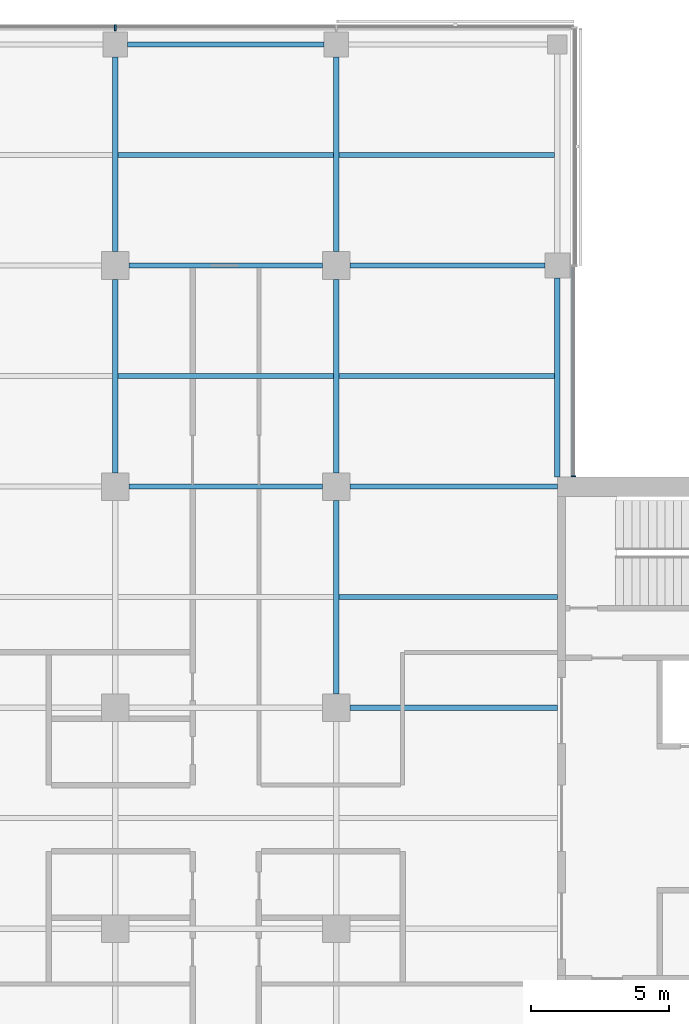
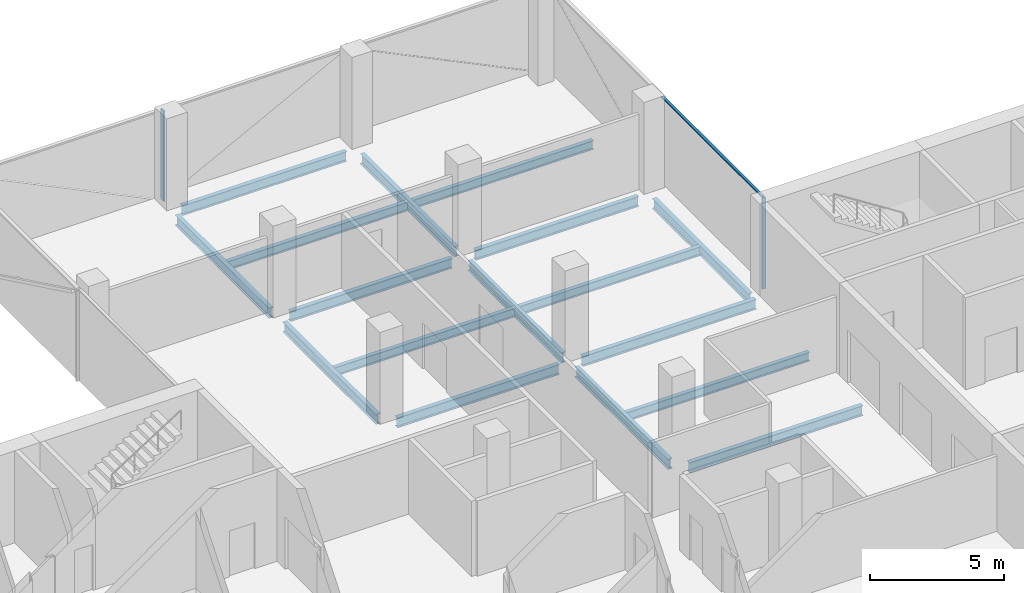
# One storey, part 9 of 22: 17 beams, 3 members, 2 elements without a shape of their own.
"""IFC4 building model written with IfcOpenShell, lengths in metres."""

import ifcopenshell
import ifcopenshell.guid

model = None  # the IFC model being written
_history = None  # IfcOwnerHistory: only IFC2X3 demands one
_inside = {}  # id of a spatial element -> (the spatial element, [elements in it])
_under = {}  # id of a project, library or spatial element -> (it, [spatial elements below it])
_declared = {}  # id of a project -> (the project, [libraries it declares])
_typed = {}  # id of a type object -> (the type object, [elements of that type])
_made_of = {}  # id of a material, layer set ... -> (it, [elements and type objects made of it])


def new_model(schema):
    """Start an empty IFC model of exactly this schema.

    Asked for "IFC4X3", IfcOpenShell would pick the latest addendum, in which some entities
    have other attributes; the version numbers below select the first issue.
    IFC2X3 requires an IfcOwnerHistory on every rooted entity: one is made here for all.
    """
    global model, _history
    if schema == "IFC4X3":
        model = ifcopenshell.file(schema_version=(4, 3, 0, 0))
    else:
        model = ifcopenshell.file(schema=schema)
    _inside.clear()
    _under.clear()
    _declared.clear()
    _typed.clear()
    _made_of.clear()
    _history = None
    if model.schema == "IFC2X3":
        org = make("IfcOrganization", Name="unknown")
        user = make(
            "IfcPersonAndOrganization",
            ThePerson=make("IfcPerson", FamilyName="unknown"),
            TheOrganization=org,
        )
        app = make(
            "IfcApplication",
            ApplicationDeveloper=org,
            Version="unknown",
            ApplicationFullName="unknown",
            ApplicationIdentifier="unknown",
        )
        _history = make(
            "IfcOwnerHistory",
            OwningUser=user,
            OwningApplication=app,
            ChangeAction="ADDED",
            CreationDate=0,
        )
    return model


def make(cls, **values):
    """One entity of the class cls with the attributes given. An attribute that is None is left unset."""
    return model.create_entity(
        cls, **{name: value for name, value in values.items() if value is not None}
    )


def rooted(cls, **values):
    """An entity with a GlobalId (a new one), such as an element, a storey or a relation."""
    return make(cls, GlobalId=ifcopenshell.guid.new(), OwnerHistory=_history, **values)


def si_unit(unit_type, name, prefix=None):
    """IfcSIUnit, for example si_unit("LENGTHUNIT", "METRE", prefix="MILLI")."""
    return make("IfcSIUnit", UnitType=unit_type, Prefix=prefix, Name=name)


def assignment(units):
    """IfcUnitAssignment: the units of a project."""
    return None if units is None else make("IfcUnitAssignment", Units=units)


def point(xyz):
    """IfcCartesianPoint."""
    return None if xyz is None else make("IfcCartesianPoint", Coordinates=xyz)


def direction(xyz):
    """IfcDirection."""
    return None if xyz is None else make("IfcDirection", DirectionRatios=xyz)


def frame(location, z_axis=None, x_axis=None):
    """IfcAxis2Placement3D, a coordinate frame: its origin and axes. An axis left out is left unset."""
    return make(
        "IfcAxis2Placement3D",
        Location=point(location),
        Axis=direction(z_axis),
        RefDirection=direction(x_axis),
    )


def frame_2d(location, x_axis=None):
    """IfcAxis2Placement2D, a coordinate frame in the plane: its origin and x axis."""
    return make(
        "IfcAxis2Placement2D", Location=point(location), RefDirection=direction(x_axis)
    )


def origin():
    """The frame at (0, 0, 0) with its axes left unset."""
    return frame((0.0, 0.0, 0.0))


def origin_2d():
    """The frame at (0, 0) in the plane with its x axis left unset."""
    return frame_2d((0.0, 0.0))


def place(relative_to, where):
    """IfcLocalPlacement: puts the frame where relative to a parent placement (None: the world)."""
    return make(
        "IfcLocalPlacement", PlacementRelTo=relative_to, RelativePlacement=where
    )


def context(
    kind, dimensions, precision=None, world=None, true_north=None, identifier=None
):
    """IfcGeometricRepresentationContext, for example the 3D "Model" context."""
    return make(
        "IfcGeometricRepresentationContext",
        ContextIdentifier=identifier,
        ContextType=kind,
        CoordinateSpaceDimension=dimensions,
        Precision=precision,
        WorldCoordinateSystem=world,
        TrueNorth=true_north,
    )


def subcontext(parent, identifier, kind, view, scale=None):
    """IfcGeometricRepresentationSubContext, for example "Body" below "Model"."""
    return make(
        "IfcGeometricRepresentationSubContext",
        ContextIdentifier=identifier,
        ContextType=kind,
        ParentContext=parent,
        TargetScale=scale,
        TargetView=view,
    )


def project(units=None, contexts=None):
    """IfcProject with its units and contexts."""
    return rooted(
        "IfcProject",
        Name="project",
        RepresentationContexts=contexts,
        UnitsInContext=assignment(units),
    )


def spatial(cls, under=None, at=None, **own):
    """A site, building, storey or space (cls), placed at a placement, below another one or the project."""
    s = rooted(cls, ObjectPlacement=at, **own)
    if under is not None:
        _under.setdefault(under.id(), (under, []))[1].append(s)
    return s


def profile(cls, at=None, kind="AREA", **sizes):
    """A parametric profile (cls). Its sizes go by their IFC names, for example OverallWidth=200.0."""
    return make(cls, ProfileType=kind, Position=at, **sizes)


def rectangle(**sizes):
    """IfcRectangleProfileDef."""
    return profile("IfcRectangleProfileDef", **sizes)


def i_section(**sizes):
    """IfcIShapeProfileDef."""
    return profile("IfcIShapeProfileDef", **sizes)


def extrude(swept, where, along, depth):
    """IfcExtrudedAreaSolid: the profile swept, set in the frame where, extruded along a direction by depth."""
    return make(
        "IfcExtrudedAreaSolid",
        SweptArea=swept,
        Position=where,
        ExtrudedDirection=direction(along),
        Depth=depth,
    )


def shape(context_of_items, identifier, shape_type, items):
    """IfcShapeRepresentation: the items that make up one representation, for example the "Body"."""
    return make(
        "IfcShapeRepresentation",
        ContextOfItems=context_of_items,
        RepresentationIdentifier=identifier,
        RepresentationType=shape_type,
        Items=items,
    )


def material(Name=None, Category=None):
    """IfcMaterial."""
    return make("IfcMaterial", Name=Name, Category=Category)


def material_profile(
    of_material, cross_section, Name=None, Category=None, Priority=None
):
    """IfcMaterialProfile: a cross section and its material."""
    return make(
        "IfcMaterialProfile",
        Name=Name,
        Material=of_material,
        Profile=cross_section,
        Priority=Priority,
        Category=Category,
    )


def profile_set(profiles, Name=None, composite=None):
    """IfcMaterialProfileSet."""
    return make(
        "IfcMaterialProfileSet",
        Name=Name,
        MaterialProfiles=profiles,
        CompositeProfile=composite,
    )


def made_of(thing, what):
    """Note that an element or type object is made of a material, layer set ...; save() writes the relation."""
    if what is not None:
        _made_of.setdefault(what.id(), (what, []))[1].append(thing)
    return thing


def type_object(cls, material=None, **own):
    """A type object (cls), such as IfcWallType, which elements share."""
    return made_of(rooted(cls, **own), material)


def element(
    cls,
    number,
    at=None,
    inside=None,
    cuts=None,
    type_object=None,
    material=None,
    context=None,
    identifier="Body",
    shape_type=None,
    held_by="IfcProductDefinitionShape",
    body=None,
    shapes=None,
    **own,
):
    """One element of the class cls, such as IfcWall. Its Tag is "e" and its number.

    at: its placement. inside: the storey or other place that contains it. cuts: it is an
    opening in that element (IfcRelVoidsElement). A single representation is given by context,
    identifier, shape_type and body (its items); several are given by shapes. held_by: the class
    of the entity that holds the representations. save() writes the other relations.
    """
    e = rooted(cls, Tag="e%d" % number, ObjectPlacement=at, **own)
    if body is not None:
        shapes = [shape(context, identifier, shape_type, body)]
    if shapes is not None:
        e.Representation = make(held_by, Representations=shapes)
    if inside is not None:
        _inside.setdefault(inside.id(), (inside, []))[1].append(e)
    if cuts is not None:
        rooted(
            "IfcRelVoidsElement", RelatingBuildingElement=cuts, RelatedOpeningElement=e
        )
    if type_object is not None:
        _typed.setdefault(type_object.id(), (type_object, []))[1].append(e)
    return made_of(e, material)


def aggregate(whole, parts):
    """IfcRelAggregates: a whole, such as a stair, and the parts it consists of."""
    return rooted("IfcRelAggregates", RelatingObject=whole, RelatedObjects=parts)


def save(model, path):
    """Write the relations noted so far, then the file.

    IfcRelAggregates (storeys below a building ...), IfcRelContainedInSpatialStructure (elements
    in a storey), IfcRelDefinesByType, IfcRelAssociatesMaterial and IfcRelDeclares: one each for
    every whole, place, type object, material and project.
    """
    for whole, parts in _under.values():
        aggregate(whole, parts)
    for where, things in _inside.values():
        rooted(
            "IfcRelContainedInSpatialStructure",
            RelatedElements=things,
            RelatingStructure=where,
        )
    for kind, things in _typed.values():
        rooted("IfcRelDefinesByType", RelatedObjects=things, RelatingType=kind)
    for what, things in _made_of.values():
        rooted("IfcRelAssociatesMaterial", RelatedObjects=things, RelatingMaterial=what)
    for by, libraries in _declared.values():
        rooted("IfcRelDeclares", RelatingContext=by, RelatedDefinitions=libraries)
    model.write(path)


model = new_model("IFC4")

# Units and contexts
model_context = context("Model", 3, precision=1e-05, world=origin(), true_north=direction((0.0, 1.0)))
body_context = subcontext(model_context, "Body", "Model", "MODEL_VIEW")
ifc_project = project(units=[si_unit("LENGTHUNIT", "METRE"), si_unit("AREAUNIT", "SQUARE_METRE"), si_unit("VOLUMEUNIT", "CUBIC_METRE"), si_unit("PLANEANGLEUNIT", "RADIAN"), si_unit("MASSUNIT", "GRAM", prefix="KILO")], contexts=[model_context])

# Site, building, storey
site_placement = place(None, origin())
site = spatial("IfcSite", under=ifc_project, at=site_placement, CompositionType="ELEMENT")
building_placement = place(site_placement, origin())
building = spatial("IfcBuilding", under=site, at=building_placement, Name="Crosswind Convention Tower", CompositionType="ELEMENT")
storey_placement = place(building_placement, frame((0.0, 0.0, 125.300048828125)))
storey = spatial("IfcBuildingStorey", under=building, at=storey_placement, Name="L25", CompositionType="ELEMENT", Elevation=125.300048828125)

# Beams
ifc_material_1 = material(Name="Steel S355", Category="steel")
ifc_material_profile_1 = material_profile(ifc_material_1, i_section(OverallWidth=0.18994140625, OverallDepth=0.45361328125, WebThickness=0.008544921875, FlangeThickness=0.0126953125, FilletRadius=0.01025390625, at=origin_2d()), Name="UB 457x191x67")
ifc_profile_set_1 = profile_set([ifc_material_profile_1], Name="Steel S355")
beam_type_1 = type_object("IfcBeamType", Name="Edge beam UB 457x191x67", PredefinedType="SPANDREL", material=ifc_profile_set_1)
beam_1_placement = place(storey_placement, frame((121.449951171875, 128.0, -0.52685546875), z_axis=(1.0, 0.0, 0.0), x_axis=(0.0, 1.0, 0.0)))
element("IfcBeam", 1, at=beam_1_placement, inside=storey, type_object=beam_type_1, Name="B16 L25 edge beam 13", PredefinedType="SPANDREL", context=body_context, shape_type="SweptSolid", body=[
    extrude(i_section(OverallWidth=0.18994140625, OverallDepth=0.45361328125, WebThickness=0.008544921875, FlangeThickness=0.0126953125, FilletRadius=0.01025390625, at=origin_2d()), origin(), (0.0, 0.0, 1.0), 7.10009765625),
])
beam_2_placement = place(storey_placement, frame((137.0, 112.35009765625, -0.52685546875), z_axis=(0.0, 1.0, 0.0), x_axis=(-1.0, 0.0, 0.0)))
element("IfcBeam", 2, at=beam_2_placement, inside=storey, type_object=beam_type_1, Name="B16 L25 edge beam 18", PredefinedType="SPANDREL", context=body_context, shape_type="SweptSolid", body=[
    extrude(i_section(OverallWidth=0.18994140625, OverallDepth=0.45361328125, WebThickness=0.008544921875, FlangeThickness=0.0126953125, FilletRadius=0.01025390625, at=origin_2d()), origin(), (0.0, 0.0, 1.0), 7.199951171875),
])
ifc_material_profile_2 = material_profile(ifc_material_1, i_section(OverallWidth=0.19140625, OverallDepth=0.460205078125, WebThickness=0.010009765625, FlangeThickness=0.01611328125, FilletRadius=0.01025390625, at=origin_2d()), Name="UB 457x191x82")
ifc_profile_set_2 = profile_set([ifc_material_profile_2], Name="Steel S355")
beam_type_2 = type_object("IfcBeamType", Name="Girder UB 457x191x82", PredefinedType="BEAM", material=ifc_profile_set_2)
beam_3_placement = place(storey_placement, frame((121.0, 112.5, -0.530029296875), z_axis=(0.0, 1.0, 0.0), x_axis=(-1.0, 0.0, 0.0)))
element("IfcBeam", 3, at=beam_3_placement, inside=storey, type_object=beam_type_2, Name="B3 L25 girder 8", PredefinedType="BEAM", context=body_context, shape_type="SweptSolid", body=[
    extrude(i_section(OverallWidth=0.19140625, OverallDepth=0.460205078125, WebThickness=0.010009765625, FlangeThickness=0.01611328125, FilletRadius=0.01025390625, at=origin_2d()), origin(), (0.0, 0.0, 1.0), 7.0),
])
beam_4_placement = place(storey_placement, frame((121.0, 120.5, -0.530029296875), z_axis=(0.0, 1.0, 0.0), x_axis=(-1.0, 0.0, 0.0)))
element("IfcBeam", 4, at=beam_4_placement, inside=storey, type_object=beam_type_2, Name="B3 L25 girder 9", PredefinedType="BEAM", context=body_context, shape_type="SweptSolid", body=[
    extrude(i_section(OverallWidth=0.19140625, OverallDepth=0.460205078125, WebThickness=0.010009765625, FlangeThickness=0.01611328125, FilletRadius=0.01025390625, at=origin_2d()), origin(), (0.0, 0.0, 1.0), 7.050048828125),
])
for number, where, z_axis, x_axis, name in (
    (5, (121.5, 112.0, -0.530029296875), (1.0, 0.0, 0.0), (0.0, 1.0, 0.0), "B3 L25 girder 14"),
    (6, (121.5, 120.0, -0.530029296875), (1.0, 0.0, 0.0), (0.0, 1.0, 0.0), "B3 L25 girder 15"),
    (7, (129.0, 104.5, -0.530029296875), (0.0, 1.0, 0.0), (-1.0, 0.0, 0.0), "B3 L25 girder 20"),
    (8, (129.0, 112.5, -0.530029296875), (0.0, 1.0, 0.0), (-1.0, 0.0, 0.0), "B3 L25 girder 21"),
):
    element("IfcBeam", number, at=place(storey_placement, frame(where, z_axis=z_axis, x_axis=x_axis)), inside=storey, type_object=beam_type_2, Name=name, PredefinedType="BEAM", context=body_context, shape_type="SweptSolid", body=[
        extrude(i_section(OverallWidth=0.19140625, OverallDepth=0.460205078125, WebThickness=0.010009765625, FlangeThickness=0.01611328125, FilletRadius=0.01025390625, at=origin_2d()), origin(), (0.0, 0.0, 1.0), 7.0),
    ])
for number, where, z_axis, x_axis, name in (
    (9, (129.0, 120.5, -0.530029296875), (0.0, 1.0, 0.0), (-1.0, 0.0, 0.0), "B3 L25 girder 22"),
    (10, (129.5, 120.0, -0.530029296875), (1.0, 0.0, 0.0), (0.0, 1.0, 0.0), "B3 L25 girder 24"),
):
    element("IfcBeam", number, at=place(storey_placement, frame(where, z_axis=z_axis, x_axis=x_axis)), inside=storey, type_object=beam_type_2, Name=name, PredefinedType="BEAM", context=body_context, shape_type="SweptSolid", body=[
        extrude(i_section(OverallWidth=0.19140625, OverallDepth=0.460205078125, WebThickness=0.010009765625, FlangeThickness=0.01611328125, FilletRadius=0.01025390625, at=origin_2d()), origin(), (0.0, 0.0, 1.0), 7.050048828125),
    ])
ifc_material_profile_3 = material_profile(ifc_material_1, i_section(OverallWidth=0.19189453125, OverallDepth=0.463623046875, WebThickness=0.010498046875, FlangeThickness=0.017578125, FilletRadius=0.01025390625, at=origin_2d()), Name="UB 457x191x90")
ifc_profile_set_3 = profile_set([ifc_material_profile_3], Name="Steel S355")
beam_type_3 = type_object("IfcBeamType", Name="Girder at core wall UB 457x191x90", PredefinedType="BEAM", material=ifc_profile_set_3)
for number, where, z_axis, x_axis, name in (
    (11, (129.5, 104.0, -0.53173828125), (1.0, 0.0, 0.0), (0.0, 1.0, 0.0), "B24 L25 girder at core wall 9"),
    (12, (129.5, 112.0, -0.53173828125), (1.0, 0.0, 0.0), (0.0, 1.0, 0.0), "B24 L25 girder at core wall 10"),
):
    element("IfcBeam", number, at=place(storey_placement, frame(where, z_axis=z_axis, x_axis=x_axis)), inside=storey, type_object=beam_type_3, Name=name, PredefinedType="BEAM", context=body_context, shape_type="SweptSolid", body=[
        extrude(i_section(OverallWidth=0.19189453125, OverallDepth=0.463623046875, WebThickness=0.010498046875, FlangeThickness=0.017578125, FilletRadius=0.01025390625, at=origin_2d()), origin(), (0.0, 0.0, 1.0), 7.5),
    ])

# Curtain wall, member
ifc_material_2 = material(Name="Aluminium unitised curtain wall", Category="aluminium")
curtain_wall_type_1 = type_object("IfcCurtainWallType", Name="CORE END SLOT WALL 160", PredefinedType="USERDEFINED", material=ifc_material_2)
curtain_wall_1_placement = place(storey_placement, origin())
curtain_wall_1 = element("IfcCurtainWall", 13, at=curtain_wall_1_placement, inside=storey, type_object=curtain_wall_type_1, Name="CW6 L25 N-E.1-1 slot", ObjectType="UNITISED", PredefinedType="USERDEFINED")
ifc_material_3 = material(Name="Aluminium mullion", Category="aluminium")
ifc_material_profile_4 = material_profile(ifc_material_3, rectangle(XDim=0.159912109375, YDim=0.050048828125, at=origin_2d()), Name="AL 160X50")
ifc_profile_set_4 = profile_set([ifc_material_profile_4], Name="Aluminium mullion")
member_type_1 = type_object("IfcMemberType", Name="MULLION 50X160", PredefinedType="MULLION", material=ifc_profile_set_4)
member_1_placement = place(storey_placement, frame((137.580078125, 112.375, -0.300048828125), z_axis=(0.0, 0.0, 1.0), x_axis=(1.0, 0.0, 0.0)))
member_1 = element("IfcMember", 14, at=member_1_placement, type_object=member_type_1, Name="CW6 mullion 1", PredefinedType="MULLION", context=body_context, shape_type="SweptSolid", body=[
    extrude(rectangle(XDim=0.159912109375, YDim=0.050048828125, at=origin_2d()), origin(), (0.0, 0.0, 1.0), 4.14990234375),
])

curtain_wall_type_2 = type_object("IfcCurtainWallType", Name="OFFICE UNITISED WALL 220", PredefinedType="USERDEFINED", material=ifc_material_2)
curtain_wall_2_placement = place(storey_placement, origin())
curtain_wall_2 = element("IfcCurtainWall", 15, at=curtain_wall_2_placement, inside=storey, type_object=curtain_wall_type_2, Name="CW3 L25 N-TIP 1", ObjectType="UNITISED", PredefinedType="USERDEFINED")
ifc_material_profile_5 = material_profile(ifc_material_3, rectangle(XDim=0.219970703125, YDim=0.070068359375, at=origin_2d()), Name="AL 220X70")
ifc_profile_set_5 = profile_set([ifc_material_profile_5], Name="Aluminium mullion")
member_type_2 = type_object("IfcMemberType", Name="MULLION 70X220", PredefinedType="MULLION", material=ifc_profile_set_5)
member_2_placement = place(storey_placement, frame((121.0, 128.610107421875, -0.300048828125), z_axis=(0.0, 0.0, 1.0), x_axis=(0.0, 1.0, 0.0)))
member_2 = element("IfcMember", 16, at=member_2_placement, type_object=member_type_2, Name="CW3 mullion 3", PredefinedType="MULLION", context=body_context, shape_type="SweptSolid", body=[
    extrude(rectangle(XDim=0.219970703125, YDim=0.070068359375, at=origin_2d()), origin(), (0.0, 0.0, 1.0), 4.1298828125),
])
aggregate(curtain_wall_2, [member_2])

# Beams
ifc_material_profile_6 = material_profile(ifc_material_1, i_section(OverallWidth=0.177734375, OverallDepth=0.406494140625, WebThickness=0.0078125, FlangeThickness=0.0126953125, FilletRadius=0.01025390625, at=origin_2d()), Name="UB 406x178x60")
ifc_profile_set_6 = profile_set([ifc_material_profile_6], Name="Steel S355")
beam_type_4 = type_object("IfcBeamType", Name="Secondary beam UB 406x178x60", PredefinedType="JOIST", material=ifc_profile_set_6)
for number, where, z_axis, x_axis, name in (
    (17, (121.095703125, 116.0, -0.503173828125), (1.0, 0.0, 0.0), (0.0, 1.0, 0.0), "B10 L25 secondary beam 16"),
    (18, (121.095703125, 124.0, -0.503173828125), (1.0, 0.0, 0.0), (0.0, 1.0, 0.0), "B10 L25 secondary beam 17"),
):
    element("IfcBeam", number, at=place(storey_placement, frame(where, z_axis=z_axis, x_axis=x_axis)), inside=storey, type_object=beam_type_4, Name=name, PredefinedType="JOIST", context=body_context, shape_type="SweptSolid", body=[
        extrude(i_section(OverallWidth=0.177734375, OverallDepth=0.406494140625, WebThickness=0.0078125, FlangeThickness=0.0126953125, FilletRadius=0.01025390625, at=origin_2d()), origin(), (0.0, 0.0, 1.0), 7.80859375),
    ])
beam_5_placement = place(storey_placement, frame((129.095703125, 108.0, -0.503173828125), z_axis=(1.0, 0.0, 0.0), x_axis=(0.0, 1.0, 0.0)))
element("IfcBeam", 19, at=beam_5_placement, inside=storey, type_object=beam_type_4, Name="B10 L25 secondary beam 22", PredefinedType="JOIST", context=body_context, shape_type="SweptSolid", body=[
    extrude(i_section(OverallWidth=0.177734375, OverallDepth=0.406494140625, WebThickness=0.0078125, FlangeThickness=0.0126953125, FilletRadius=0.01025390625, at=origin_2d()), origin(), (0.0, 0.0, 1.0), 7.904296875),
])
for number, where, z_axis, x_axis, name in (
    (20, (129.095703125, 116.0, -0.503173828125), (1.0, 0.0, 0.0), (0.0, 1.0, 0.0), "B10 L25 secondary beam 23"),
    (21, (129.095703125, 124.0, -0.503173828125), (1.0, 0.0, 0.0), (0.0, 1.0, 0.0), "B10 L25 secondary beam 24"),
):
    element("IfcBeam", number, at=place(storey_placement, frame(where, z_axis=z_axis, x_axis=x_axis)), inside=storey, type_object=beam_type_4, Name=name, PredefinedType="JOIST", context=body_context, shape_type="SweptSolid", body=[
        extrude(i_section(OverallWidth=0.177734375, OverallDepth=0.406494140625, WebThickness=0.0078125, FlangeThickness=0.0126953125, FilletRadius=0.01025390625, at=origin_2d()), origin(), (0.0, 0.0, 1.0), 7.809326171875),
    ])

# Member
ifc_material_4 = material(Name="Aluminium transom", Category="aluminium")
ifc_material_profile_7 = material_profile(ifc_material_4, rectangle(XDim=0.1201171875, YDim=0.050048828125, at=origin_2d()), Name="AL 120X50")
ifc_profile_set_7 = profile_set([ifc_material_profile_7], Name="Aluminium transom")
member_type_3 = type_object("IfcMemberType", Name="TRANSOM 50X120", PredefinedType="USERDEFINED", material=ifc_profile_set_7)
member_3_placement = place(storey_placement, frame((137.580078125, 112.39990234375, 3.875), z_axis=(0.0, 1.0, 0.0), x_axis=(-1.0, 0.0, 0.0)))
member_3 = element("IfcMember", 22, at=member_3_placement, type_object=member_type_3, Name="CW6 transom", ObjectType="TRANSOM", PredefinedType="USERDEFINED", context=body_context, shape_type="SweptSolid", body=[
    extrude(rectangle(XDim=0.1201171875, YDim=0.050048828125, at=origin_2d()), origin(), (0.0, 0.0, 1.0), 7.550048828125),
])

aggregate(curtain_wall_1, [member_1, member_3])

save(model, "model.ifc")
